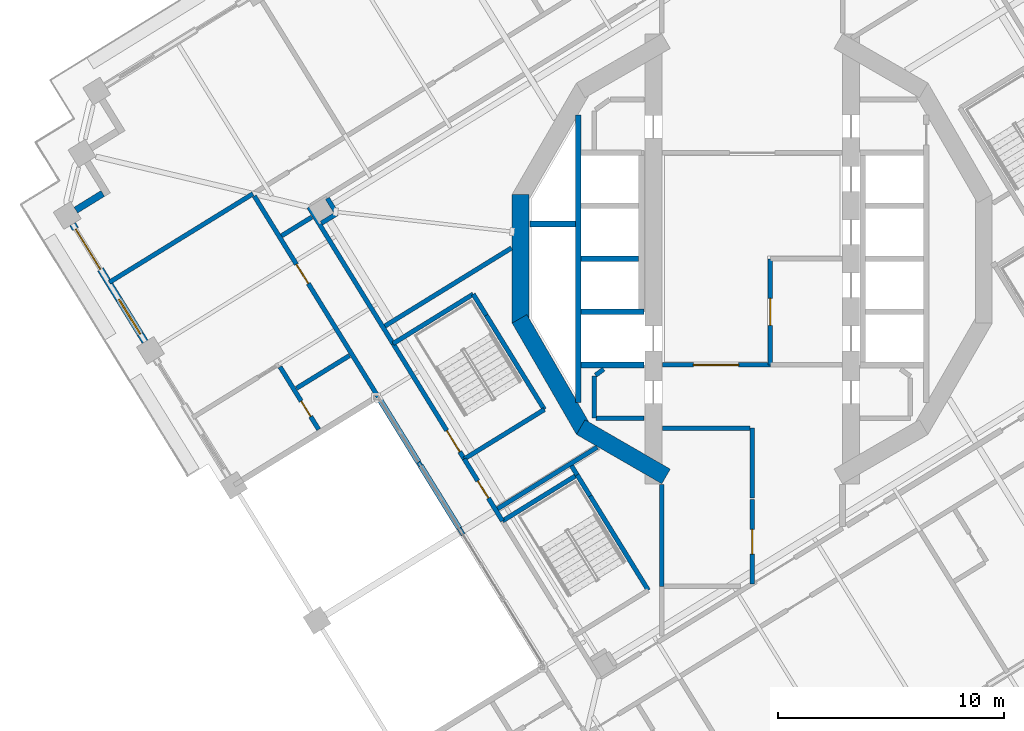
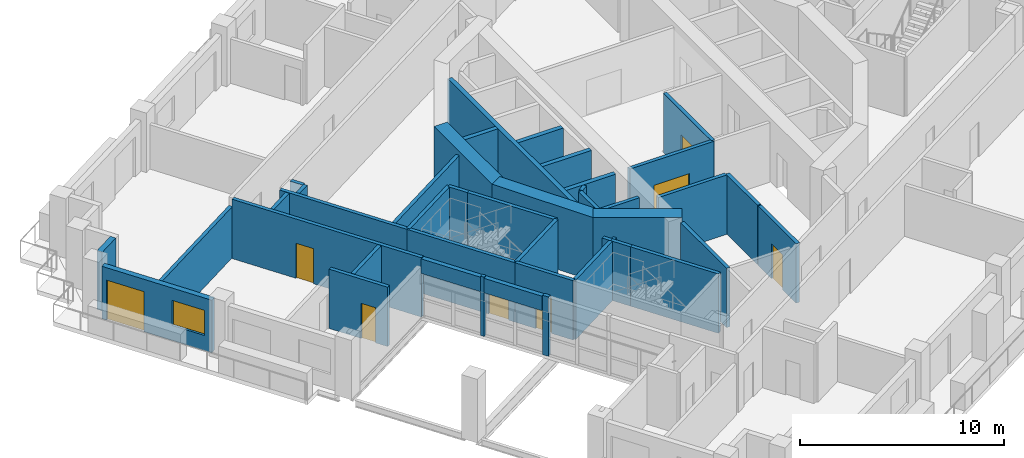
# One storey, part 8 of 22: 43 walls, 8 doors, 1 window, 9 openings.
"""IFC4 building model written with IfcOpenShell, lengths in metres."""

from ifc_helpers import new_model, si_unit, direction, frame, frame_2d, origin, place, context, subcontext, project, spatial, rectangle, extrude, material, layer, layer_set, type_object, element, fill, save


model = new_model("IFC4")

# Units and contexts
model_context = context("Model", 3, precision=1e-05, world=origin(), true_north=direction((0.0, 1.0)))
body_context = subcontext(model_context, "Body", "Model", "MODEL_VIEW")
ifc_project = project(units=[si_unit("LENGTHUNIT", "METRE"), si_unit("AREAUNIT", "SQUARE_METRE"), si_unit("VOLUMEUNIT", "CUBIC_METRE"), si_unit("PLANEANGLEUNIT", "RADIAN"), si_unit("MASSUNIT", "GRAM", prefix="KILO")], contexts=[model_context])

# Site, building, storey
site_placement = place(None, origin())
site = spatial("IfcSite", under=ifc_project, at=site_placement, CompositionType="ELEMENT")
building_placement = place(site_placement, origin())
building = spatial("IfcBuilding", under=site, at=building_placement, Name="Cantera Rosa Tower", CompositionType="ELEMENT")
storey_placement = place(building_placement, frame((0.0, 0.0, 166.60009765625)))
storey = spatial("IfcBuildingStorey", under=building, at=storey_placement, Name="L36", CompositionType="ELEMENT", Elevation=166.60009765625)

# Wall, opening, door
ifc_material_1 = material(Name="Gypsum board partition")
ifc_layer_1 = layer(ifc_material_1, 0.199951171875)
ifc_layer_set_1 = layer_set([ifc_layer_1], Name="CORRIDOR WALL 200 H3550")
wall_type_1 = type_object("IfcWallType", Name="CORRIDOR WALL 200 H3550", PredefinedType="PARTITIONING", material=ifc_layer_set_1)
wall_1_placement = place(storey_placement, frame((-22.037109375, 2.77392578125, 0.0), z_axis=(0.0, 0.0, 1.0), x_axis=(0.52495747355, -0.851128457381, 0.0)))
wall_1 = element("IfcWall", 1, at=wall_1_placement, inside=storey, type_object=wall_type_1, Name="CORRIDOR WALL L36-003", PredefinedType="PARTITIONING", context=body_context, shape_type="SweptSolid", body=[
    extrude(rectangle(XDim=10.544921875, YDim=0.199951171875, at=frame_2d((5.2724609375, 0.0))), origin(), (0.0, 0.0, 1.0), 3.5498046875),
])
opening_1_placement = place(wall_1_placement, frame((3.550048828125, 0.0, 0.0)))
opening_1 = element("IfcOpeningElement", 2, at=opening_1_placement, cuts=wall_1, Name="Opening L36-036", PredefinedType="OPENING", context=body_context, shape_type="SweptSolid", body=[
    extrude(rectangle(XDim=1.0, YDim=2.10009765625, at=frame_2d((0.5, 1.050048828125))), frame((0.0, 0.10986328125, 0.0), z_axis=(0.0, -1.0, 0.0), x_axis=(1.0, 0.0, 0.0)), (0.0, 0.0, 1.0), 0.219970703125),
])
ifc_material_2 = material(Name="Timber door leaf", Category="wood")
door_type_1 = type_object("IfcDoorType", Name="ENTRANCE DOOR 1000x2100", OperationType="NOTDEFINED", PredefinedType="DOOR", material=ifc_material_2)
door_1_placement = place(opening_1_placement, origin())
door_1 = element("IfcDoor", 3, at=door_1_placement, inside=storey, type_object=door_type_1, Name="DOOR L36-036", OperationType="NOTDEFINED", OverallHeight=2.10009765625, OverallWidth=1.0, PredefinedType="DOOR", context=body_context, shape_type="SweptSolid", body=[
    extrude(rectangle(XDim=1.0, YDim=2.10009765625, at=frame_2d((0.5, 1.050048828125))), frame((0.0, 0.02490234375, 0.0), z_axis=(0.0, -1.0, 0.0), x_axis=(1.0, 0.0, 0.0)), (0.0, 0.0, 1.0), 0.050048828125),
])
fill(opening_1, door_1)

# Walls
wall_2_placement = place(storey_placement, frame((-14.775146484375, -8.99951171875, 0.0), z_axis=(0.0, 0.0, 1.0), x_axis=(0.524448233232, -0.851442335487, 0.0)))
element("IfcWall", 4, at=wall_2_placement, inside=storey, type_object=wall_type_1, Name="CORRIDOR WALL L36-004", PredefinedType="PARTITIONING", context=body_context, shape_type="SweptSolid", body=[
    extrude(rectangle(XDim=0.194091796875, YDim=0.199951171875, at=frame_2d((0.09716796875, 0.0))), origin(), (0.0, 0.0, 1.0), 3.5498046875),
])
wall_3_placement = place(storey_placement, frame((-12.96875, -11.92822265625, 0.0), z_axis=(0.0, 0.0, 1.0), x_axis=(0.525163997389, -0.851001043388, 0.0)))
element("IfcWall", 5, at=wall_3_placement, inside=storey, type_object=wall_type_1, Name="CORRIDOR WALL L36-005", PredefinedType="PARTITIONING", context=body_context, shape_type="SweptSolid", body=[
    extrude(rectangle(XDim=0.33203125, YDim=0.199951171875, at=frame_2d((0.166015625, 0.0))), origin(), (0.0, 0.0, 1.0), 3.5498046875),
])
wall_4_placement = place(storey_placement, frame((-20.8349609375, 1.015380859375, 0.0), z_axis=(0.0, 0.0, 1.0), x_axis=(0.851143253059, 0.52493348414, 0.0)))
element("IfcWall", 6, at=wall_4_placement, inside=storey, type_object=wall_type_1, Name="CORRIDOR WALL L36-009", PredefinedType="PARTITIONING", context=body_context, shape_type="SweptSolid", body=[
    extrude(rectangle(XDim=1.579833984375, YDim=0.199951171875, at=frame_2d((0.7900390625, 0.0))), origin(), (0.0, 0.0, 1.0), 3.5498046875),
])
wall_5_placement = place(storey_placement, frame((-19.623291015625, 2.2890625, 0.0), z_axis=(0.0, 0.0, 1.0), x_axis=(0.524973806956, -0.851118383076, 0.0)))
element("IfcWall", 7, at=wall_5_placement, inside=storey, type_object=wall_type_1, Name="CORRIDOR WALL L36-011", PredefinedType="PARTITIONING", context=body_context, shape_type="SweptSolid", body=[
    extrude(rectangle(XDim=7.100830078125, YDim=0.199951171875, at=frame_2d((3.55029296875, 0.0))), origin(), (0.0, 0.0, 1.0), 3.5498046875),
])

# Wall, opening, door
wall_6_placement = place(storey_placement, frame((-12.74560546875, -8.861328125, 0.0), z_axis=(0.0, 0.0, 1.0), x_axis=(0.524959112102, -0.851127446756, 0.0)))
wall_6 = element("IfcWall", 8, at=wall_6_placement, inside=storey, type_object=wall_type_1, Name="CORRIDOR WALL L36-019", PredefinedType="PARTITIONING", context=body_context, shape_type="SweptSolid", body=[
    extrude(rectangle(XDim=3.223876953125, YDim=0.199951171875, at=frame_2d((1.61181640625, 0.0))), origin(), (0.0, 0.0, 1.0), 3.5498046875),
])
opening_2_placement = place(wall_6_placement, frame((1.139404296875, 0.0, 0.0)))
opening_2 = element("IfcOpeningElement", 9, at=opening_2_placement, cuts=wall_6, Name="Opening L36-008", PredefinedType="OPENING", context=body_context, shape_type="SweptSolid", body=[
    extrude(rectangle(XDim=0.89990234375, YDim=2.10009765625, at=frame_2d((0.449951171875, 1.050048828125))), frame((0.0, 0.10986328125, 0.0), z_axis=(0.0, -1.0, 0.0), x_axis=(1.0, 0.0, 0.0)), (0.0, 0.0, 1.0), 0.219970703125),
])
ifc_material_3 = material(Name="Timber door leaf", Category="wood")
door_type_2 = type_object("IfcDoorType", Name="SERVICE DOOR 900x2100", OperationType="NOTDEFINED", PredefinedType="DOOR", material=ifc_material_3)
door_2_placement = place(opening_2_placement, origin())
door_2 = element("IfcDoor", 10, at=door_2_placement, inside=storey, type_object=door_type_2, Name="DOOR L36-008", OperationType="NOTDEFINED", OverallHeight=2.10009765625, OverallWidth=0.89990234375, PredefinedType="DOOR", context=body_context, shape_type="SweptSolid", body=[
    extrude(rectangle(XDim=0.89990234375, YDim=2.10009765625, at=frame_2d((0.449951171875, 1.050048828125))), frame((0.0, 0.02490234375, 0.0), z_axis=(0.0, -1.0, 0.0), x_axis=(1.0, 0.0, 0.0)), (0.0, 0.0, 1.0), 0.050048828125),
])
fill(opening_2, door_2)

wall_7_placement = place(storey_placement, frame((0.0, -14.392822265625, 0.0), z_axis=(0.0, 0.0, 1.0), x_axis=(0.0, 1.0, 0.0)))
wall_7 = element("IfcWall", 11, at=wall_7_placement, inside=storey, type_object=wall_type_1, Name="CORRIDOR WALL L36-066", PredefinedType="PARTITIONING", context=body_context, shape_type="SweptSolid", body=[
    extrude(rectangle(XDim=3.737548828125, YDim=0.199951171875, at=frame_2d((1.86865234375, 0.0))), origin(), (0.0, 0.0, 1.0), 3.5498046875),
])
opening_3_placement = place(wall_7_placement, frame((1.31884765625, 0.0, 0.0)))
opening_3 = element("IfcOpeningElement", 12, at=opening_3_placement, cuts=wall_7, Name="Opening L36-016", PredefinedType="OPENING", context=body_context, shape_type="SweptSolid", body=[
    extrude(rectangle(XDim=1.10009765625, YDim=2.10009765625, at=frame_2d((0.550048828125, 1.050048828125))), frame((0.0, 0.10986328125, 0.0), z_axis=(0.0, -1.0, 0.0), x_axis=(1.0, 0.0, 0.0)), (0.0, 0.0, 1.0), 0.219970703125),
])
ifc_material_4 = material(Name="Timber door leaf", Category="wood")
door_type_3 = type_object("IfcDoorType", Name="ROOM DOOR 1100x2100", OperationType="NOTDEFINED", PredefinedType="DOOR", material=ifc_material_4)
door_3_placement = place(opening_3_placement, origin())
door_3 = element("IfcDoor", 13, at=door_3_placement, inside=storey, type_object=door_type_3, Name="DOOR L36-016", OperationType="NOTDEFINED", OverallHeight=2.10009765625, OverallWidth=1.10009765625, PredefinedType="DOOR", context=body_context, shape_type="SweptSolid", body=[
    extrude(rectangle(XDim=1.10009765625, YDim=2.10009765625, at=frame_2d((0.550048828125, 1.050048828125))), frame((0.0, 0.02490234375, 0.0), z_axis=(0.0, -1.0, 0.0), x_axis=(1.0, 0.0, 0.0)), (0.0, 0.0, 1.0), 0.050048828125),
])
fill(opening_3, door_3)

# Walls
wall_8_placement = place(storey_placement, frame((0.0, -10.59521484375, 0.0), z_axis=(0.0, 0.0, 1.0), x_axis=(0.0, 1.0, 0.0)))
element("IfcWall", 14, at=wall_8_placement, inside=storey, type_object=wall_type_1, Name="CORRIDOR WALL L36-067", PredefinedType="PARTITIONING", context=body_context, shape_type="SweptSolid", body=[
    extrude(rectangle(XDim=3.09521484375, YDim=0.199951171875, at=frame_2d((1.547607421875, 0.0))), origin(), (0.0, 0.0, 1.0), 3.5498046875),
])
wall_9_placement = place(storey_placement, frame((-0.10009765625, -7.5, 0.0), z_axis=(0.0, 0.0, 1.0), x_axis=(-1.0, 0.0, 0.0)))
element("IfcWall", 15, at=wall_9_placement, inside=storey, type_object=wall_type_1, Name="CORRIDOR WALL L36-068", PredefinedType="PARTITIONING", context=body_context, shape_type="SweptSolid", body=[
    extrude(rectangle(XDim=3.869873046875, YDim=0.199951171875, at=frame_2d((1.93505859375, 0.0))), origin(), (0.0, 0.0, 1.0), 3.5498046875),
])

# Wall, opening, door
wall_10_placement = place(storey_placement, frame((0.800048828125, -4.699951171875, 0.0), z_axis=(0.0, 0.0, 1.0), x_axis=(-1.0, 0.0, 0.0)))
wall_10 = element("IfcWall", 16, at=wall_10_placement, inside=storey, type_object=wall_type_1, Name="CORRIDOR WALL L36-070", PredefinedType="PARTITIONING", context=body_context, shape_type="SweptSolid", body=[
    extrude(rectangle(XDim=4.77001953125, YDim=0.199951171875, at=frame_2d((2.385009765625, 0.0))), origin(), (0.0, 0.0, 1.0), 3.5498046875),
])
opening_4_placement = place(wall_10_placement, frame((1.39990234375, 0.0, 0.0)))
opening_4 = element("IfcOpeningElement", 17, at=opening_4_placement, cuts=wall_10, Name="Opening L36-014", PredefinedType="OPENING", context=body_context, shape_type="SweptSolid", body=[
    extrude(rectangle(XDim=2.0, YDim=2.10009765625, at=frame_2d((1.0, 1.050048828125))), frame((0.0, 0.10986328125, 0.0), z_axis=(0.0, -1.0, 0.0), x_axis=(1.0, 0.0, 0.0)), (0.0, 0.0, 1.0), 0.219970703125),
])
ifc_material_5 = material(Name="Steel S355J2 (EN 10025-2)", Category="steel")
door_type_4 = type_object("IfcDoorType", Name="LOBBY SCREEN DOOR 2000x2100", OperationType="NOTDEFINED", PredefinedType="DOOR", material=ifc_material_5)
door_4_placement = place(opening_4_placement, origin())
door_4 = element("IfcDoor", 18, at=door_4_placement, inside=storey, type_object=door_type_4, Name="DOOR L36-014", OperationType="NOTDEFINED", OverallHeight=2.10009765625, OverallWidth=2.0, PredefinedType="DOOR", context=body_context, shape_type="SweptSolid", body=[
    extrude(rectangle(XDim=2.0, YDim=2.10009765625, at=frame_2d((1.0, 1.050048828125))), frame((0.0, 0.02490234375, 0.0), z_axis=(0.0, -1.0, 0.0), x_axis=(1.0, 0.0, 0.0)), (0.0, 0.0, 1.0), 0.050048828125),
])
fill(opening_4, door_4)

# Wall
ifc_material_6 = material(Name="Hollow clay masonry with cantera stone cladding", Category="masonry")
ifc_layer_2 = layer(ifc_material_6, 0.300048828125)
ifc_layer_set_2 = layer_set([ifc_layer_2], Name="EW-LOGGIA 300")
wall_type_2 = type_object("IfcWallType", Name="EW-LOGGIA 300", PredefinedType="SOLIDWALL", material=ifc_layer_set_2)
wall_11_placement = place(storey_placement, frame((-28.74658203125, 2.888916015625, 0.0), z_axis=(0.0, 0.0, 1.0), x_axis=(-0.851040987269, -0.525099264891, 0.0)))
element("IfcWall", 19, at=wall_11_placement, inside=storey, type_object=wall_type_2, Name="EN-L36-W14b", PredefinedType="SOLIDWALL", context=body_context, shape_type="SweptSolid", body=[
    extrude(rectangle(XDim=1.39990234375, YDim=0.300048828125, at=frame_2d((0.699951171875, 0.0))), origin(), (0.0, 0.0, 1.0), 3.5),
])

# Wall, openings, window, door
ifc_material_7 = material(Name="Hollow clay masonry with cantera stone cladding", Category="masonry")
ifc_layer_3 = layer(ifc_material_7, 0.300048828125)
ifc_layer_set_3 = layer_set([ifc_layer_3], Name="EW-LOGGIA 300 H3140")
wall_type_3 = type_object("IfcWallType", Name="EW-LOGGIA 300 H3140", PredefinedType="SOLIDWALL", material=ifc_layer_set_3)
wall_12_placement = place(storey_placement, frame((-30.084716796875, 1.53466796875, 0.0), z_axis=(0.0, 0.0, 1.0), x_axis=(0.524987447654, -0.851109969279, 0.0)))
wall_12 = element("IfcWall", 20, at=wall_12_placement, inside=storey, type_object=wall_type_3, Name="EN-L36-W15", PredefinedType="SOLIDWALL", context=body_context, shape_type="SweptSolid", body=[
    extrude(rectangle(XDim=6.119873046875, YDim=0.300048828125, at=frame_2d((3.06005859375, 0.0))), origin(), (0.0, 0.0, 1.0), 3.139892578125),
])
opening_5_placement = place(wall_12_placement, frame((0.2548828125, 0.0, 0.0)))
opening_5 = element("IfcOpeningElement", 21, at=opening_5_placement, cuts=wall_12, Name="Opening L36-TD21", PredefinedType="OPENING", context=body_context, shape_type="SweptSolid", body=[
    extrude(rectangle(XDim=2.10009765625, YDim=2.39990234375, at=frame_2d((1.050048828125, 1.199951171875))), frame((0.0, 0.159912109375, 0.0), z_axis=(0.0, -1.0, 0.0), x_axis=(1.0, 0.0, 0.0)), (0.0, 0.0, 1.0), 0.320068359375),
])
opening_6_placement = place(wall_12_placement, frame((3.9150390625, 0.0, 0.89990234375)))
opening_6 = element("IfcOpeningElement", 22, at=opening_6_placement, cuts=wall_12, Name="Opening L36-W22", PredefinedType="OPENING", context=body_context, shape_type="SweptSolid", body=[
    extrude(rectangle(XDim=1.800048828125, YDim=1.5, at=frame_2d((0.89990234375, 0.75))), frame((0.0, 0.159912109375, 0.0), z_axis=(0.0, -1.0, 0.0), x_axis=(1.0, 0.0, 0.0)), (0.0, 0.0, 1.0), 0.320068359375),
])
ifc_material_8 = material(Name="Aluminium frame with clear glass", Category="aluminium")
window_type = type_object("IfcWindowType", Name="Hotel room window 1800x1500", PartitioningType="DOUBLE_PANEL_VERTICAL", PredefinedType="WINDOW", material=ifc_material_8)
window_placement = place(opening_6_placement, origin())
window = element("IfcWindow", 23, at=window_placement, inside=storey, type_object=window_type, Name="WINDOW L36-W22", OverallHeight=1.5, OverallWidth=1.800048828125, PartitioningType="SINGLE_PANEL", PredefinedType="WINDOW", context=body_context, shape_type="SweptSolid", body=[
    extrude(rectangle(XDim=1.800048828125, YDim=1.5, at=frame_2d((0.89990234375, 0.75))), frame((0.0, 0.030029296875, 0.0), z_axis=(0.0, -1.0, 0.0), x_axis=(1.0, 0.0, 0.0)), (0.0, 0.0, 1.0), 0.06005859375),
])
fill(opening_6, window)
ifc_material_9 = material(Name="Aluminium frame with clear glass", Category="aluminium")
door_type_5 = type_object("IfcDoorType", Name="TD-H 2100x2400", OperationType="NOTDEFINED", PredefinedType="DOOR", material=ifc_material_9)
door_5_placement = place(opening_5_placement, origin())
door_5 = element("IfcDoor", 24, at=door_5_placement, inside=storey, type_object=door_type_5, Name="LOGGIA DOOR L36-TD21", OperationType="SLIDING_TO_LEFT", OverallHeight=2.39990234375, OverallWidth=2.10009765625, PredefinedType="DOOR", context=body_context, shape_type="SweptSolid", body=[
    extrude(rectangle(XDim=2.10009765625, YDim=2.39990234375, at=frame_2d((1.050048828125, 1.199951171875))), frame((0.0, 0.02490234375, 0.0), z_axis=(0.0, -1.0, 0.0), x_axis=(1.0, 0.0, 0.0)), (0.0, 0.0, 1.0), 0.050048828125),
])
fill(opening_5, door_5)

# Walls
ifc_material_10 = material(Name="Hollow clay masonry with cantera stone cladding", Category="masonry")
ifc_layer_4 = layer(ifc_material_10, 0.25)
ifc_layer_set_4 = layer_set([ifc_layer_4], Name="EW-POCKET REAR 250")
wall_type_4 = type_object("IfcWallType", Name="EW-POCKET REAR 250", PredefinedType="SOLIDWALL", material=ifc_layer_set_4)
wall_13_placement = place(storey_placement, frame((-16.50146484375, -6.201171875, 2.6337890625), z_axis=(0.0, 0.0, 1.0), x_axis=(0.525037528183, -0.851079076232, 0.0)))
element("IfcWall", 25, at=wall_13_placement, inside=storey, type_object=wall_type_4, Name="POCKET SPANDREL L36-1", PredefinedType="SOLIDWALL", context=body_context, shape_type="SweptSolid", body=[
    extrude(rectangle(XDim=3.2880859375, YDim=0.25, at=frame_2d((1.64404296875, 0.0))), origin(), (0.0, 0.0, 1.0), 0.8662109375),
])
wall_14_placement = place(storey_placement, frame((-14.67333984375, -9.16455078125, 2.6337890625), z_axis=(0.0, 0.0, 1.0), x_axis=(0.524961331699, -0.851126077747, 0.0)))
element("IfcWall", 26, at=wall_14_placement, inside=storey, type_object=wall_type_4, Name="POCKET SPANDREL L36-2", PredefinedType="SOLIDWALL", context=body_context, shape_type="SweptSolid", body=[
    extrude(rectangle(XDim=3.2470703125, YDim=0.25, at=frame_2d((1.62353515625, 0.0))), origin(), (0.0, 0.0, 1.0), 0.8662109375),
])
ifc_material_11 = material(Name="Gypsum board partition")
ifc_layer_5 = layer(ifc_material_11, 0.199951171875)
ifc_layer_set_5 = layer_set([ifc_layer_5], Name="PARTITION 200 H2650")
wall_type_5 = type_object("IfcWallType", Name="PARTITION 200 H2650", PredefinedType="PARTITIONING", material=ifc_layer_set_5)
wall_15_placement = place(storey_placement, frame((-6.859619140625, -8.34326171875, 0.0), z_axis=(0.0, 0.0, 1.0), x_axis=(-0.851117537744, -0.524975177455, 0.0)))
element("IfcWall", 27, at=wall_15_placement, inside=storey, type_object=wall_type_5, Name="PARTITION L36-048", PredefinedType="PARTITIONING", context=body_context, shape_type="SweptSolid", body=[
    extrude(rectangle(XDim=5.181640625, YDim=0.199951171875, at=frame_2d((2.5908203125, 0.0))), origin(), (0.0, 0.0, 1.0), 2.64990234375),
])

# Wall, opening, door
ifc_material_12 = material(Name="Gypsum board partition")
ifc_layer_6 = layer(ifc_material_12, 0.199951171875)
ifc_layer_set_6 = layer_set([ifc_layer_6], Name="PARTITION 200 H3550")
wall_type_6 = type_object("IfcWallType", Name="PARTITION 200 H3550", PredefinedType="PARTITIONING", material=ifc_layer_set_6)
wall_16_placement = place(storey_placement, frame((-20.89990234375, -4.7841796875, 0.0), z_axis=(0.0, 0.0, 1.0), x_axis=(0.524946663519, -0.851135124678, 0.0)))
wall_16 = element("IfcWall", 28, at=wall_16_placement, inside=storey, type_object=wall_type_6, Name="PARTITION L36-008", PredefinedType="PARTITIONING", context=body_context, shape_type="SweptSolid", body=[
    extrude(rectangle(XDim=3.255126953125, YDim=0.199951171875, at=frame_2d((1.62744140625, 0.0))), origin(), (0.0, 0.0, 1.0), 3.5498046875),
])
opening_7_placement = place(wall_16_placement, frame((1.780029296875, 0.0, 0.0)))
opening_7 = element("IfcOpeningElement", 29, at=opening_7_placement, cuts=wall_16, Name="Opening L36-038", PredefinedType="OPENING", context=body_context, shape_type="SweptSolid", body=[
    extrude(rectangle(XDim=0.800048828125, YDim=2.10009765625, at=frame_2d((0.39990234375, 1.050048828125))), frame((0.0, 0.10986328125, 0.0), z_axis=(0.0, -1.0, 0.0), x_axis=(1.0, 0.0, 0.0)), (0.0, 0.0, 1.0), 0.219970703125),
])
ifc_material_13 = material(Name="Timber door leaf", Category="wood")
door_type_6 = type_object("IfcDoorType", Name="BATHROOM DOOR 800x2100", OperationType="NOTDEFINED", PredefinedType="DOOR", material=ifc_material_13)
door_6_placement = place(opening_7_placement, origin())
door_6 = element("IfcDoor", 30, at=door_6_placement, inside=storey, type_object=door_type_6, Name="DOOR L36-038", OperationType="NOTDEFINED", OverallHeight=2.10009765625, OverallWidth=0.800048828125, PredefinedType="DOOR", context=body_context, shape_type="SweptSolid", body=[
    extrude(rectangle(XDim=0.800048828125, YDim=2.10009765625, at=frame_2d((0.39990234375, 1.050048828125))), frame((0.0, 0.02490234375, 0.0), z_axis=(0.0, -1.0, 0.0), x_axis=(1.0, 0.0, 0.0)), (0.0, 0.0, 1.0), 0.050048828125),
])
fill(opening_7, door_6)

# Walls
wall_17_placement = place(storey_placement, frame((-20.173095703125, -5.734130859375, 0.0), z_axis=(0.0, 0.0, 1.0), x_axis=(0.851089839436, 0.525020080767, 0.0)))
element("IfcWall", 31, at=wall_17_placement, inside=storey, type_object=wall_type_6, Name="PARTITION L36-010", PredefinedType="PARTITIONING", context=body_context, shape_type="SweptSolid", body=[
    extrude(rectangle(XDim=2.759765625, YDim=0.199951171875, at=frame_2d((1.3798828125, 0.0))), origin(), (0.0, 0.0, 1.0), 3.5498046875),
])
wall_18_placement = place(storey_placement, frame((-19.065673828125, 1.575439453125, 0.0), z_axis=(0.0, 0.0, 1.0), x_axis=(0.85101860469, 0.525135539144, 0.0)))
element("IfcWall", 32, at=wall_18_placement, inside=storey, type_object=wall_type_6, Name="PARTITION L36-012", PredefinedType="PARTITIONING", context=body_context, shape_type="SweptSolid", body=[
    extrude(rectangle(XDim=0.800048828125, YDim=0.199951171875, at=frame_2d((0.39990234375, 0.0))), origin(), (0.0, 0.0, 1.0), 3.5498046875),
])
wall_19_placement = place(storey_placement, frame((-18.437255859375, 2.08056640625, 0.0), z_axis=(0.0, 0.0, 1.0), x_axis=(-0.524817119332, 0.851215008829, 0.0)))
element("IfcWall", 33, at=wall_19_placement, inside=storey, type_object=wall_type_6, Name="PARTITION L36-013", PredefinedType="PARTITIONING", context=body_context, shape_type="SweptSolid", body=[
    extrude(rectangle(XDim=0.7001953125, YDim=0.199951171875, at=frame_2d((0.35009765625, 0.0))), origin(), (0.0, 0.0, 1.0), 3.5498046875),
])
wall_20_placement = place(storey_placement, frame((-10.6552734375, 0.477294921875, 0.0), z_axis=(0.0, 0.0, 1.0), x_axis=(-0.851128054326, -0.524958127035, 0.0)))
element("IfcWall", 34, at=wall_20_placement, inside=storey, type_object=wall_type_6, Name="PARTITION L36-025", PredefinedType="PARTITIONING", context=body_context, shape_type="SweptSolid", body=[
    extrude(rectangle(XDim=6.58154296875, YDim=0.199951171875, at=frame_2d((3.290771484375, 0.0))), origin(), (0.0, 0.0, 1.0), 3.5498046875),
])
wall_21_placement = place(storey_placement, frame((-7.749267578125, -9.5673828125, 0.0), z_axis=(0.0, 0.0, 1.0), x_axis=(-0.525043930166, 0.851075126763, 0.0)))
element("IfcWall", 35, at=wall_21_placement, inside=storey, type_object=wall_type_6, Name="PARTITION L36-035", PredefinedType="PARTITIONING", context=body_context, shape_type="SweptSolid", body=[
    extrude(rectangle(XDim=0.474853515625, YDim=0.199951171875, at=frame_2d((0.2373046875, 0.0))), origin(), (0.0, 0.0, 1.0), 3.5498046875),
])
wall_22_placement = place(storey_placement, frame((-7.0, -7.050048828125, 0.0), z_axis=(0.0, 0.0, 1.0), x_axis=(0.0, 1.0, 0.0)))
element("IfcWall", 36, at=wall_22_placement, inside=storey, type_object=wall_type_6, Name="PARTITION L36-044", PredefinedType="PARTITIONING", context=body_context, shape_type="SweptSolid", body=[
    extrude(rectangle(XDim=1.85009765625, YDim=0.199951171875, at=frame_2d((0.925048828125, 0.0))), origin(), (0.0, 0.0, 1.0), 3.5498046875),
])
wall_23_placement = place(storey_placement, frame((-6.935302734375, -5.15283203125, 0.0), z_axis=(0.0, 0.0, 1.0), x_axis=(0.808147744029, 0.58897981614, 0.0)))
element("IfcWall", 37, at=wall_23_placement, inside=storey, type_object=wall_type_6, Name="PARTITION L36-045", PredefinedType="PARTITIONING", context=body_context, shape_type="SweptSolid", body=[
    extrude(rectangle(XDim=0.448974609375, YDim=0.199951171875, at=frame_2d((0.224609375, 0.0))), origin(), (0.0, 0.0, 1.0), 3.5498046875),
])
wall_24_placement = place(storey_placement, frame((-4.780029296875, -7.050048828125, 0.0), z_axis=(0.0, 0.0, 1.0), x_axis=(-1.0, 0.0, 0.0)))
element("IfcWall", 38, at=wall_24_placement, inside=storey, type_object=wall_type_6, Name="PARTITION L36-054", PredefinedType="PARTITIONING", context=body_context, shape_type="SweptSolid", body=[
    extrude(rectangle(XDim=2.139892578125, YDim=0.199951171875, at=frame_2d((1.06982421875, 0.0))), origin(), (0.0, 0.0, 1.0), 3.5498046875),
])
wall_25_placement = place(storey_placement, frame((-4.0, -9.994140625, 0.0), z_axis=(0.0, 0.0, 1.0), x_axis=(0.0, -1.0, 0.0)))
element("IfcWall", 39, at=wall_25_placement, inside=storey, type_object=wall_type_6, Name="PARTITION L36-060", PredefinedType="PARTITIONING", context=body_context, shape_type="SweptSolid", body=[
    extrude(rectangle(XDim=4.505859375, YDim=0.199951171875, at=frame_2d((2.2529296875, 0.0))), origin(), (0.0, 0.0, 1.0), 3.5498046875),
])
ifc_material_14 = material(Name="Gypsum board partition")
ifc_layer_7 = layer(ifc_material_14, 0.199951171875)
ifc_layer_set_7 = layer_set([ifc_layer_7], Name="PARTY WALL 200 H3050")
wall_type_7 = type_object("IfcWallType", Name="PARTY WALL 200 H3050", PredefinedType="PARTITIONING", material=ifc_layer_set_7)
wall_26_placement = place(storey_placement, frame((-22.10009765625, 2.876220703125, 0.0), z_axis=(0.0, 0.0, 1.0), x_axis=(-0.85111586596, -0.524977887831, 0.0)))
element("IfcWall", 40, at=wall_26_placement, inside=storey, type_object=wall_type_7, Name="PARTY WALL L36-002", PredefinedType="PARTITIONING", context=body_context, shape_type="SweptSolid", body=[
    extrude(rectangle(XDim=7.469970703125, YDim=0.199951171875, at=frame_2d((3.73486328125, 0.0))), origin(), (0.0, 0.0, 1.0), 3.0498046875),
])
ifc_material_15 = material(Name="Concrete C60/75", Category="concrete")
ifc_layer_8 = layer(ifc_material_15, 0.75)
ifc_layer_set_8 = layer_set([ifc_layer_8], Name="RC CORE WALL 750 C60/75")
wall_type_8 = type_object("IfcWallType", Name="RC CORE WALL 750 C60/75", PredefinedType="SHEAR", material=ifc_layer_set_8)
wall_27_placement = place(storey_placement, frame((-3.8125, -9.634765625, 0.0), z_axis=(0.0, 0.0, 1.0), x_axis=(-0.866013176292, 0.50002117804, 0.0)))
element("IfcWall", 41, at=wall_27_placement, inside=storey, type_object=wall_type_8, Name="CW-W1 L36", PredefinedType="SHEAR", context=body_context, shape_type="SweptSolid", body=[
    extrude(rectangle(XDim=4.362548828125, YDim=0.75, at=frame_2d((2.18115234375, 0.0))), origin(), (0.0, 0.0, 1.0), 3.7998046875),
])
wall_28_placement = place(storey_placement, frame((-7.453369140625, -7.590576171875, 0.0), z_axis=(0.0, 0.0, 1.0), x_axis=(-0.500021842983, 0.866012792365, 0.0)))
element("IfcWall", 42, at=wall_28_placement, inside=storey, type_object=wall_type_8, Name="CW-W2 L36", PredefinedType="SHEAR", context=body_context, shape_type="SweptSolid", body=[
    extrude(rectangle(XDim=5.694091796875, YDim=0.75, at=frame_2d((2.84716796875, 0.0))), origin(), (0.0, 0.0, 1.0), 3.7998046875),
])
wall_29_placement = place(storey_placement, frame((-10.250244140625, -2.846923828125, 0.0), z_axis=(0.0, 0.0, 1.0), x_axis=(0.0, 1.0, 0.0)))
element("IfcWall", 43, at=wall_29_placement, inside=storey, type_object=wall_type_8, Name="CW-W3 L36", PredefinedType="SHEAR", context=body_context, shape_type="SweptSolid", body=[
    extrude(rectangle(XDim=5.69384765625, YDim=0.75, at=frame_2d((2.846923828125, 0.0))), origin(), (0.0, 0.0, 1.0), 3.7998046875),
])
ifc_material_16 = material(Name="Masonry blockwork", Category="masonry")
ifc_layer_9 = layer(ifc_material_16, 0.25)
ifc_layer_set_9 = layer_set([ifc_layer_9], Name="SHAFT WALL 250 H3550")
wall_type_9 = type_object("IfcWallType", Name="SHAFT WALL 250 H3550", PredefinedType="SOLIDWALL", material=ifc_layer_set_9)
wall_30_placement = place(storey_placement, frame((-9.84521484375, 1.539306640625, 0.0), z_axis=(0.0, 0.0, 1.0), x_axis=(1.0, 0.0, 0.0)))
element("IfcWall", 44, at=wall_30_placement, inside=storey, type_object=wall_type_9, Name="SHAFT WALL L36-027", PredefinedType="SOLIDWALL", context=body_context, shape_type="SweptSolid", body=[
    extrude(rectangle(XDim=2.020263671875, YDim=0.25, at=frame_2d((1.01025390625, 0.0))), origin(), (0.0, 0.0, 1.0), 3.5498046875),
])
wall_31_placement = place(storey_placement, frame((-7.574951171875, -2.35009765625, 0.0), z_axis=(0.0, 0.0, 1.0), x_axis=(1.0, 0.0, 0.0)))
element("IfcWall", 45, at=wall_31_placement, inside=storey, type_object=wall_type_9, Name="SHAFT WALL L36-036", PredefinedType="SOLIDWALL", context=body_context, shape_type="SweptSolid", body=[
    extrude(rectangle(XDim=2.794921875, YDim=0.25, at=frame_2d((1.3974609375, 0.0))), origin(), (0.0, 0.0, 1.0), 3.5498046875),
])
wall_32_placement = place(storey_placement, frame((-7.574951171875, 0.0, 0.0), z_axis=(0.0, 0.0, 1.0), x_axis=(1.0, 0.0, 0.0)))
element("IfcWall", 46, at=wall_32_placement, inside=storey, type_object=wall_type_9, Name="SHAFT WALL L36-037", PredefinedType="SOLIDWALL", context=body_context, shape_type="SweptSolid", body=[
    extrude(rectangle(XDim=2.550048828125, YDim=0.25, at=frame_2d((1.27490234375, 0.0))), origin(), (0.0, 0.0, 1.0), 3.5498046875),
])
wall_33_placement = place(storey_placement, frame((-7.699951171875, 6.353515625, 0.0), z_axis=(0.0, 0.0, 1.0), x_axis=(0.0, -1.0, 0.0)))
element("IfcWall", 47, at=wall_33_placement, inside=storey, type_object=wall_type_9, Name="SHAFT WALL L36-040", PredefinedType="SOLIDWALL", context=body_context, shape_type="SweptSolid", body=[
    extrude(rectangle(XDim=12.70703125, YDim=0.25, at=frame_2d((6.353515625, 0.0))), origin(), (0.0, 0.0, 1.0), 3.5498046875),
])
wall_34_placement = place(storey_placement, frame((-4.780029296875, -4.699951171875, 0.0), z_axis=(0.0, 0.0, 1.0), x_axis=(-1.0, 0.0, 0.0)))
element("IfcWall", 48, at=wall_34_placement, inside=storey, type_object=wall_type_9, Name="SHAFT WALL L36-055", PredefinedType="SOLIDWALL", context=body_context, shape_type="SweptSolid", body=[
    extrude(rectangle(XDim=2.794921875, YDim=0.25, at=frame_2d((1.3974609375, 0.0))), origin(), (0.0, 0.0, 1.0), 3.5498046875),
])

# Wall, opening, door
ifc_material_17 = material(Name="Concrete C50/60", Category="concrete")
ifc_layer_10 = layer(ifc_material_17, 0.199951171875)
ifc_layer_set_10 = layer_set([ifc_layer_10], Name="STAIR WALL 200 H3550")
wall_type_10 = type_object("IfcWallType", Name="STAIR WALL 200 H3550", PredefinedType="SOLIDWALL", material=ifc_layer_set_10)
wall_35_placement = place(storey_placement, frame((-15.8955078125, -3.754638671875, 0.0), z_axis=(0.0, 0.0, 1.0), x_axis=(0.524982543144, -0.851112994493, 0.0)))
wall_35 = element("IfcWall", 49, at=wall_35_placement, inside=storey, type_object=wall_type_10, Name="STAIR WALL L36-016", PredefinedType="SOLIDWALL", context=body_context, shape_type="SweptSolid", body=[
    extrude(rectangle(XDim=6.0, YDim=0.199951171875, at=frame_2d((3.0, 0.0))), origin(), (0.0, 0.0, 1.0), 3.5498046875),
])
opening_8_placement = place(wall_35_placement, frame((4.52490234375, 0.0, 0.0)))
opening_8 = element("IfcOpeningElement", 50, at=opening_8_placement, cuts=wall_35, Name="Opening L36-002", PredefinedType="OPENING", context=body_context, shape_type="SweptSolid", body=[
    extrude(rectangle(XDim=1.10009765625, YDim=2.10009765625, at=frame_2d((0.550048828125, 1.050048828125))), frame((0.0, 0.10986328125, 0.0), z_axis=(0.0, -1.0, 0.0), x_axis=(1.0, 0.0, 0.0)), (0.0, 0.0, 1.0), 0.219970703125),
])
ifc_material_18 = material(Name="Steel S355J2 (EN 10025-2)", Category="steel")
door_type_7 = type_object("IfcDoorType", Name="STAIR DOOR 1100x2100", OperationType="NOTDEFINED", PredefinedType="DOOR", material=ifc_material_18)
door_7_placement = place(opening_8_placement, origin())
door_7 = element("IfcDoor", 51, at=door_7_placement, inside=storey, type_object=door_type_7, Name="DOOR L36-002", OperationType="NOTDEFINED", OverallHeight=2.10009765625, OverallWidth=1.10009765625, PredefinedType="DOOR", context=body_context, shape_type="SweptSolid", body=[
    extrude(rectangle(XDim=1.10009765625, YDim=2.10009765625, at=frame_2d((0.550048828125, 1.050048828125))), frame((0.0, 0.02490234375, 0.0), z_axis=(0.0, -1.0, 0.0), x_axis=(1.0, 0.0, 0.0)), (0.0, 0.0, 1.0), 0.050048828125),
])
fill(opening_8, door_7)

# Walls
for number, where, z_axis, x_axis, name in (
    (52, (-12.74560546875, -8.861328125, 0.0), (0.0, 0.0, 1.0), (0.851120688733, 0.524970068871, 0.0), "STAIR WALL L36-020"),
    (53, (-12.349365234375, -1.5673828125, 0.0), (0.0, 0.0, 1.0), (-0.851120688733, -0.524970068871, 0.0), "STAIR WALL L36-022"),
):
    element("IfcWall", number, at=place(storey_placement, frame(where, z_axis=z_axis, x_axis=x_axis)), inside=storey, type_object=wall_type_10, Name=name, PredefinedType="SOLIDWALL", context=body_context, shape_type="SweptSolid", body=[
        extrude(rectangle(XDim=4.16650390625, YDim=0.199951171875, at=frame_2d((2.083251953125, 0.0))), origin(), (0.0, 0.0, 1.0), 3.5498046875),
    ])
wall_36_placement = place(storey_placement, frame((-11.05322265625, -11.605224609375, 0.0), z_axis=(0.0, 0.0, 1.0), x_axis=(0.851124503894, 0.524963883397, 0.0)))
element("IfcWall", 54, at=wall_36_placement, inside=storey, type_object=wall_type_10, Name="STAIR WALL L36-024", PredefinedType="SOLIDWALL", context=body_context, shape_type="SweptSolid", body=[
    extrude(rectangle(XDim=3.8818359375, YDim=0.199951171875, at=frame_2d((1.94091796875, 0.0))), origin(), (0.0, 0.0, 1.0), 3.5498046875),
])
for number, where, z_axis, x_axis, name in (
    (55, (-9.199462890625, -6.674072265625, 0.0), (0.0, 0.0, 1.0), (-0.524942245614, 0.851137849452, 0.0), "STAIR WALL L36-029"),
    (56, (-4.599365234375, -14.674072265625, 0.0), (0.0, 0.0, 1.0), (-0.524978338244, 0.85111558814, 0.0), "STAIR WALL L36-057"),
):
    element("IfcWall", number, at=place(storey_placement, frame(where, z_axis=z_axis, x_axis=x_axis)), inside=storey, type_object=wall_type_10, Name=name, PredefinedType="SOLIDWALL", context=body_context, shape_type="SweptSolid", body=[
        extrude(rectangle(XDim=4.900146484375, YDim=0.199951171875, at=frame_2d((2.4501953125, 0.0))), origin(), (0.0, 0.0, 1.0), 3.5498046875),
    ])

# Wall, opening, door
wall_37_placement = place(storey_placement, frame((0.800048828125, -4.699951171875, 0.0), z_axis=(0.0, 0.0, 1.0), x_axis=(0.0, 1.0, 0.0)))
wall_37 = element("IfcWall", 57, at=wall_37_placement, inside=storey, type_object=wall_type_10, Name="STAIR WALL L36-071", PredefinedType="SOLIDWALL", context=body_context, shape_type="SweptSolid", body=[
    extrude(rectangle(XDim=4.699951171875, YDim=0.199951171875, at=frame_2d((2.35009765625, 0.0))), origin(), (0.0, 0.0, 1.0), 3.5498046875),
])
opening_9_placement = place(wall_37_placement, frame((1.75, 0.0, 0.0)))
opening_9 = element("IfcOpeningElement", 58, at=opening_9_placement, cuts=wall_37, Name="Opening L36-015", PredefinedType="OPENING", context=body_context, shape_type="SweptSolid", body=[
    extrude(rectangle(XDim=1.199951171875, YDim=2.10009765625, at=frame_2d((0.60009765625, 1.050048828125))), frame((0.0, 0.10986328125, 0.0), z_axis=(0.0, -1.0, 0.0), x_axis=(1.0, 0.0, 0.0)), (0.0, 0.0, 1.0), 0.219970703125),
])
ifc_material_19 = material(Name="Steel S355J2 (EN 10025-2)", Category="steel")
door_type_8 = type_object("IfcDoorType", Name="FIRE DOOR 1200x2100", OperationType="NOTDEFINED", PredefinedType="DOOR", material=ifc_material_19)
door_8_placement = place(opening_9_placement, origin())
door_8 = element("IfcDoor", 59, at=door_8_placement, inside=storey, type_object=door_type_8, Name="DOOR L36-015", OperationType="NOTDEFINED", OverallHeight=2.10009765625, OverallWidth=1.199951171875, PredefinedType="DOOR", context=body_context, shape_type="SweptSolid", body=[
    extrude(rectangle(XDim=1.199951171875, YDim=2.10009765625, at=frame_2d((0.60009765625, 1.050048828125))), frame((0.0, 0.02490234375, 0.0), z_axis=(0.0, -1.0, 0.0), x_axis=(1.0, 0.0, 0.0)), (0.0, 0.0, 1.0), 0.050048828125),
])
fill(opening_9, door_8)

# Walls
for number, where, z_axis, x_axis, name in (
    (60, (-11.771728515625, -2.50341796875, 0.0), (0.0, 0.0, 1.0), (-0.525162052325, 0.851002243709, 0.0), "STAIR WALL L36-029 J"),
    (61, (-7.171875, -10.50341796875, 0.0), (0.0, 0.0, 1.0), (-0.52500127828, 0.851101438023, 0.0), "STAIR WALL L36-057 J"),
):
    element("IfcWall", number, at=place(storey_placement, frame(where, z_axis=z_axis, x_axis=x_axis)), inside=storey, type_object=wall_type_10, Name=name, PredefinedType="SOLIDWALL", context=body_context, shape_type="SweptSolid", body=[
        extrude(rectangle(XDim=1.099853515625, YDim=0.199951171875, at=frame_2d((0.5498046875, 0.0))), origin(), (0.0, 0.0, 1.0), 3.5498046875),
    ])

save(model, "model.ifc")
